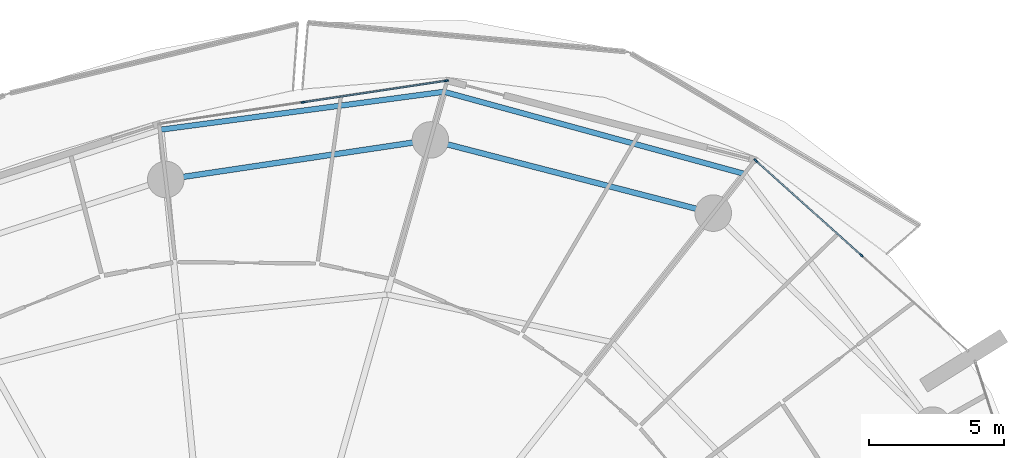
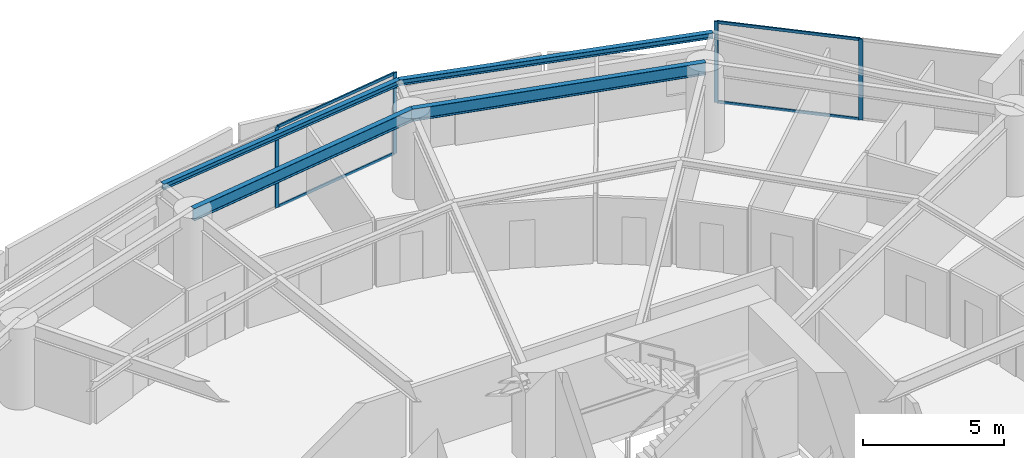
# One storey, part 16 of 31: 8 members, 4 beams, 2 elements without a shape of their own.
"""IFC4 building model written with IfcOpenShell, lengths in metres."""

from ifc_helpers import new_model, si_unit, direction, frame, origin, origin_2d, place, context, subcontext, project, spatial, rectangle, i_section, extrude, material, layer, layer_set, material_profile, profile_set, type_object, element, aggregate, save


model = new_model("IFC4")

# Units and contexts
model_context = context("Model", 3, precision=1e-05, world=origin(), true_north=direction((0.0, 1.0)))
body_context = subcontext(model_context, "Body", "Model", "MODEL_VIEW")
ifc_project = project(units=[si_unit("LENGTHUNIT", "METRE"), si_unit("AREAUNIT", "SQUARE_METRE"), si_unit("VOLUMEUNIT", "CUBIC_METRE"), si_unit("PLANEANGLEUNIT", "RADIAN"), si_unit("MASSUNIT", "GRAM", prefix="KILO")], contexts=[model_context])

# Site, building, storey
site_placement = place(None, origin())
site = spatial("IfcSite", under=ifc_project, at=site_placement, CompositionType="ELEMENT")
building_placement = place(site_placement, origin())
building = spatial("IfcBuilding", under=site, at=building_placement, Name="Kazma Halo Residences", CompositionType="ELEMENT")
storey_placement = place(building_placement, frame((0.0, 0.0, 30.14990234375)))
storey = spatial("IfcBuildingStorey", under=building, at=storey_placement, Name="L06", CompositionType="ELEMENT", Elevation=30.14990234375)

# Beams
ifc_material_1 = material(Name="Steel S355", Category="steel")
ifc_material_profile_1 = material_profile(ifc_material_1, i_section(OverallWidth=0.201904296875, OverallDepth=0.2470703125, WebThickness=0.00732421875, FlangeThickness=0.010986328125, FilletRadius=0.011962890625, at=origin_2d()), Name="W250x49.1")
ifc_profile_set_1 = profile_set([ifc_material_profile_1], Name="Steel S355")
beam_type_1 = type_object("IfcBeamType", Name="BM-BAL-CANT", PredefinedType="BEAM", material=ifc_profile_set_1)
beam_1_placement = place(storey_placement, frame((66.603515625, 65.598388671875, 3.376708984375), z_axis=(-0.964628474934, 0.263613173697, 0.0), x_axis=(-0.263613173697, -0.964628474934, 0.0)))
element("IfcBeam", 1, at=beam_1_placement, inside=storey, type_object=beam_type_1, Name="L06 wave-balcony tie beam 02", PredefinedType="BEAM", context=body_context, shape_type="SweptSolid", body=[
    extrude(i_section(OverallWidth=0.201904296875, OverallDepth=0.2470703125, WebThickness=0.00732421875, FlangeThickness=0.010986328125, FilletRadius=0.011962890625, at=origin_2d()), origin(), (0.0, 0.0, 1.0), 11.499755859375),
])
beam_2_placement = place(storey_placement, frame((55.510498046875, 68.6298828125, 3.376708984375), z_axis=(-0.991168183526, -0.13261082899, 0.0), x_axis=(0.13261082899, -0.991168183526, 0.0)))
element("IfcBeam", 2, at=beam_2_placement, inside=storey, type_object=beam_type_1, Name="L06 wave-balcony tie beam 03", PredefinedType="BEAM", context=body_context, shape_type="SweptSolid", body=[
    extrude(i_section(OverallWidth=0.201904296875, OverallDepth=0.2470703125, WebThickness=0.00732421875, FlangeThickness=0.010986328125, FilletRadius=0.011962890625, at=origin_2d()), origin(), (0.0, 0.0, 1.0), 10.551025390625),
])
ifc_material_profile_2 = material_profile(ifc_material_1, i_section(OverallWidth=0.208984375, OverallDepth=0.532958984375, WebThickness=0.01025390625, FlangeThickness=0.015625, FilletRadius=0.01611328125, at=origin_2d()), Name="W530x92")
ifc_profile_set_2 = profile_set([ifc_material_profile_2], Name="Steel S355")
beam_type_2 = type_object("IfcBeamType", Name="BM-SPN-W530", PredefinedType="BEAM", material=ifc_profile_set_2)
beam_3_placement = place(storey_placement, frame((65.458251953125, 64.145751953125, 3.233642578125), z_axis=(-0.968123558238, 0.250473104313, 0.0), x_axis=(-0.250473104313, -0.968123558238, 0.0)))
element("IfcBeam", 3, at=beam_3_placement, inside=storey, type_object=beam_type_2, Name="L06 perimeter ring beam 02", PredefinedType="BEAM", context=body_context, shape_type="SweptSolid", body=[
    extrude(i_section(OverallWidth=0.208984375, OverallDepth=0.532958984375, WebThickness=0.01025390625, FlangeThickness=0.015625, FilletRadius=0.01611328125, at=origin_2d()), origin(), (0.0, 0.0, 1.0), 10.7939453125),
])
beam_4_placement = place(storey_placement, frame((55.00830078125, 66.849365234375, 3.233642578125), z_axis=(-0.989033061974, -0.147694286693, 0.0), x_axis=(0.147694286693, -0.989033061974, 0.0)))
element("IfcBeam", 4, at=beam_4_placement, inside=storey, type_object=beam_type_2, Name="L06 perimeter ring beam 03", PredefinedType="BEAM", context=body_context, shape_type="SweptSolid", body=[
    extrude(i_section(OverallWidth=0.208984375, OverallDepth=0.532958984375, WebThickness=0.01025390625, FlangeThickness=0.015625, FilletRadius=0.01611328125, at=origin_2d()), origin(), (0.0, 0.0, 1.0), 9.885009765625),
])

# Curtain wall, members
ifc_material_2 = material(Name="Aluminium AW-6063 T6 and Triple-Silver Low-E Glass", Category="aluminium")
ifc_layer = layer(ifc_material_2, 0.159912109375)
ifc_layer_set = layer_set([ifc_layer], Name="Aluminium AW-6063 T6 and Triple-Silver Low-E Glass")
curtain_wall_type = type_object("IfcCurtainWallType", Name="CW-SYS-2", PredefinedType="NOTDEFINED", material=ifc_layer_set)
curtain_wall_1_placement = place(storey_placement, origin())
curtain_wall_1 = element("IfcCurtainWall", 5, at=curtain_wall_1_placement, inside=storey, type_object=curtain_wall_type, Name="L06 unitised curtain wall B01", PredefinedType="NOTDEFINED")
ifc_material_3 = material(Name="Aluminium AW-6063 T6", Category="aluminium")
ifc_material_profile_3 = material_profile(ifc_material_3, rectangle(XDim=0.06005859375, YDim=0.159912109375, at=origin_2d()), Name="CWM-60x160")
ifc_profile_set_3 = profile_set([ifc_material_profile_3], Name="Aluminium AW-6063 T6")
member_type_1 = type_object("IfcMemberType", Name="CW-SYS-2-MUL", PredefinedType="MULLION", material=ifc_profile_set_3)
member_1_placement = place(storey_placement, frame((70.92724609375, 62.590087890625, 0.0), z_axis=(0.0, 0.0, 1.0), x_axis=(-0.667821453854, -0.744321506993, 0.0)))
member_1 = element("IfcMember", 6, at=member_1_placement, type_object=member_type_1, Name="CWS-2 mullion 2", PredefinedType="MULLION", context=body_context, shape_type="SweptSolid", body=[
    extrude(rectangle(XDim=0.06005859375, YDim=0.159912109375, at=origin_2d()), origin(), (0.0, 0.0, 1.0), 3.5),
])
member_2_placement = place(storey_placement, frame((67.028076171875, 66.088623046875, 0.0), z_axis=(0.0, 0.0, 1.0), x_axis=(-0.667821453854, -0.744321506993, 0.0)))
member_2 = element("IfcMember", 7, at=member_2_placement, type_object=member_type_1, Name="CWS-2 mullion 3", PredefinedType="MULLION", context=body_context, shape_type="SweptSolid", body=[
    extrude(rectangle(XDim=0.06005859375, YDim=0.159912109375, at=origin_2d()), origin(), (0.0, 0.0, 1.0), 3.5),
])

curtain_wall_2_placement = place(storey_placement, origin())
curtain_wall_2 = element("IfcCurtainWall", 8, at=curtain_wall_2_placement, inside=storey, type_object=curtain_wall_type, Name="L06 unitised curtain wall B03", PredefinedType="NOTDEFINED")
member_3_placement = place(storey_placement, frame((55.596923828125, 69.037841796875, 0.0), z_axis=(0.0, 0.0, 1.0), x_axis=(0.148657272805, -0.988888777994, 0.0)))
member_3 = element("IfcMember", 9, at=member_3_placement, type_object=member_type_1, Name="CWS-2 mullion 1", PredefinedType="MULLION", context=body_context, shape_type="SweptSolid", body=[
    extrude(rectangle(XDim=0.06005859375, YDim=0.159912109375, at=origin_2d()), origin(), (0.0, 0.0, 1.0), 3.5),
])
member_4_placement = place(storey_placement, frame((50.3076171875, 68.24267578125, 0.0), z_axis=(0.0, 0.0, 1.0), x_axis=(0.148657272805, -0.988888777994, 0.0)))
member_4 = element("IfcMember", 10, at=member_4_placement, type_object=member_type_1, Name="CWS-2 mullion 2", PredefinedType="MULLION", context=body_context, shape_type="SweptSolid", body=[
    extrude(rectangle(XDim=0.06005859375, YDim=0.159912109375, at=origin_2d()), origin(), (0.0, 0.0, 1.0), 3.5),
])

# Member
ifc_material_profile_4 = material_profile(ifc_material_3, rectangle(XDim=0.06005859375, YDim=0.1201171875, at=origin_2d()), Name="CWT-60x120")
ifc_profile_set_4 = profile_set([ifc_material_profile_4], Name="Aluminium AW-6063 T6")
member_type_2 = type_object("IfcMemberType", Name="CW-SYS-2-TRN", PredefinedType="USERDEFINED", material=ifc_profile_set_4)
member_5_placement = place(storey_placement, frame((70.905029296875, 62.6103515625, 0.030029296875), z_axis=(-0.744329408538, 0.66781264707, 0.0), x_axis=(-0.66781264707, -0.744329408538, 0.0)))
member_5 = element("IfcMember", 11, at=member_5_placement, type_object=member_type_2, Name="CWS-2 transom 2.1", ObjectType="TRANSOM", PredefinedType="USERDEFINED", context=body_context, shape_type="SweptSolid", body=[
    extrude(rectangle(XDim=0.06005859375, YDim=0.1201171875, at=origin_2d()), origin(), (0.0, 0.0, 1.0), 5.178466796875),
])

member_6_placement = place(storey_placement, frame((70.905029296875, 62.6103515625, 3.47021484375), z_axis=(-0.744329408538, 0.66781264707, 0.0), x_axis=(-0.66781264707, -0.744329408538, 0.0)))
member_6 = element("IfcMember", 12, at=member_6_placement, type_object=member_type_2, Name="CWS-2 transom 2.2", ObjectType="TRANSOM", PredefinedType="USERDEFINED", context=body_context, shape_type="SweptSolid", body=[
    extrude(rectangle(XDim=0.06005859375, YDim=0.1201171875, at=origin_2d()), origin(), (0.0, 0.0, 1.0), 5.178466796875),
])

aggregate(curtain_wall_1, [member_1, member_2, member_5, member_6])

member_7_placement = place(storey_placement, frame((55.5673828125, 69.033203125, 0.030029296875), z_axis=(-0.988890934274, -0.148642928222, 0.0), x_axis=(0.148642928222, -0.988890934274, 0.0)))
member_7 = element("IfcMember", 13, at=member_7_placement, type_object=member_type_2, Name="CWS-2 transom 1.1", ObjectType="TRANSOM", PredefinedType="USERDEFINED", context=body_context, shape_type="SweptSolid", body=[
    extrude(rectangle(XDim=0.06005859375, YDim=0.1201171875, at=origin_2d()), origin(), (0.0, 0.0, 1.0), 5.288818359375),
])

member_8_placement = place(storey_placement, frame((55.5673828125, 69.033203125, 3.47021484375), z_axis=(-0.988890934274, -0.148642928222, 0.0), x_axis=(0.148642928222, -0.988890934274, 0.0)))
member_8 = element("IfcMember", 14, at=member_8_placement, type_object=member_type_2, Name="CWS-2 transom 1.2", ObjectType="TRANSOM", PredefinedType="USERDEFINED", context=body_context, shape_type="SweptSolid", body=[
    extrude(rectangle(XDim=0.06005859375, YDim=0.1201171875, at=origin_2d()), origin(), (0.0, 0.0, 1.0), 5.288818359375),
])

aggregate(curtain_wall_2, [member_3, member_4, member_7, member_8])

save(model, "model.ifc")
